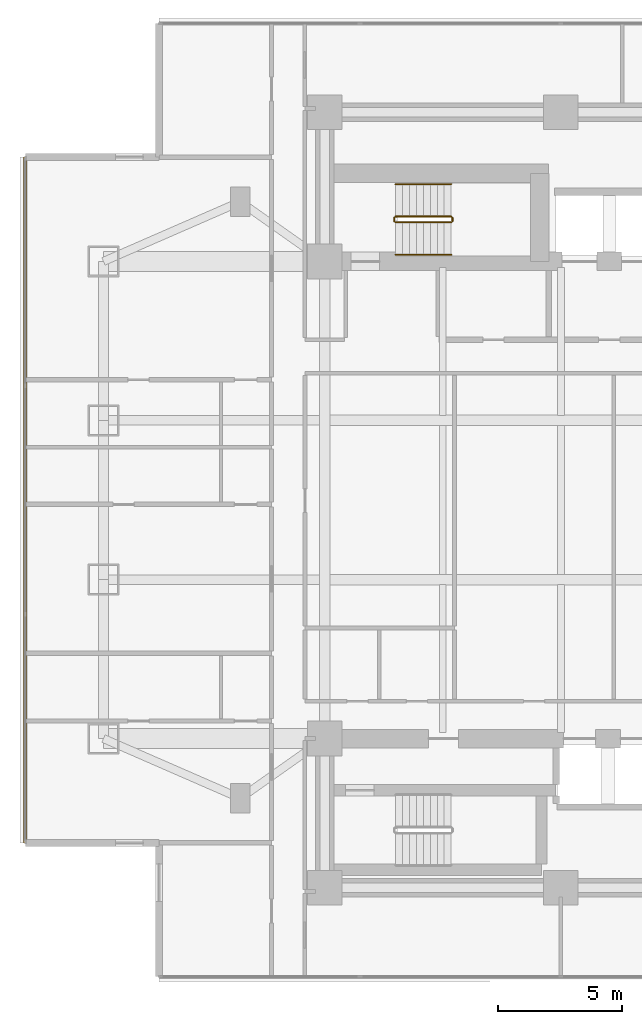
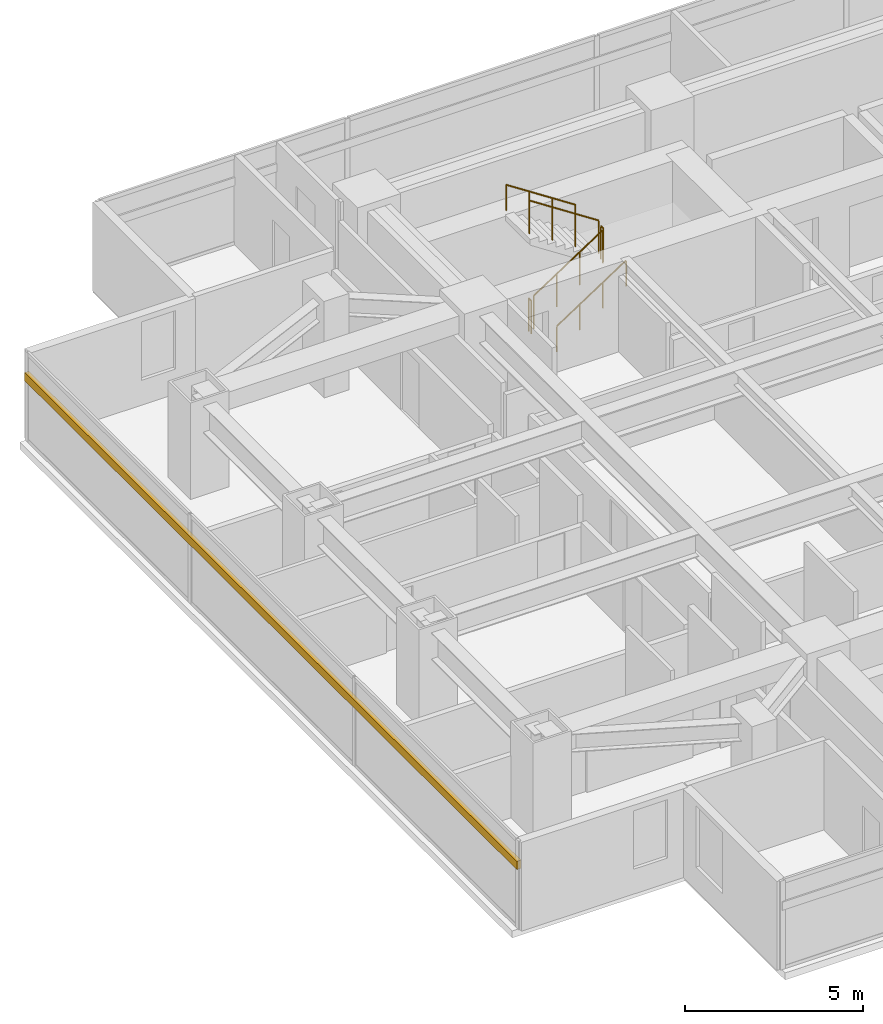
# One storey, part 20 of 23: 6 railings, 1 shading device.
"""IFC4 building model written with IfcOpenShell, lengths in metres."""

from ifc_helpers import new_model, si_unit, direction, frame, origin, origin_2d, place, context, subcontext, project, spatial, rectangle, circle, extrude, material, material_profile, profile_set, type_object, element, save


model = new_model("IFC4")

# Units and contexts
model_context = context("Model", 3, precision=1e-05, world=origin(), true_north=direction((0.0, 1.0)))
body_context = subcontext(model_context, "Body", "Model", "MODEL_VIEW")
ifc_project = project(units=[si_unit("LENGTHUNIT", "METRE"), si_unit("AREAUNIT", "SQUARE_METRE"), si_unit("VOLUMEUNIT", "CUBIC_METRE"), si_unit("PLANEANGLEUNIT", "RADIAN"), si_unit("MASSUNIT", "GRAM", prefix="KILO")], contexts=[model_context])

# Site, building, storey
site_placement = place(None, origin())
site = spatial("IfcSite", under=ifc_project, at=site_placement, CompositionType="ELEMENT")
building_placement = place(site_placement, origin())
building = spatial("IfcBuilding", under=site, at=building_placement, Name="Mirazonda Arch Towers", CompositionType="ELEMENT")
storey_placement = place(building_placement, frame((0.0, 0.0, 29.0)))
storey = spatial("IfcBuildingStorey", under=building, at=storey_placement, Name="L07", CompositionType="ELEMENT", Elevation=29.0)

# Shading device
ifc_material_1 = material(Name="Kiln-Fired Architectural Terracotta", Category="masonry")
ifc_material_profile = material_profile(ifc_material_1, rectangle(XDim=0.139892578125, YDim=0.280029296875, at=origin_2d()), Name="TERRA-BAG-140x280")
ifc_profile_set = profile_set([ifc_material_profile], Name="Kiln-Fired Architectural Terracotta")
shading_device_type = type_object("IfcShadingDeviceType", Name="BAGUETTE-3", PredefinedType="USERDEFINED", material=ifc_profile_set)
shading_device_placement = place(storey_placement, frame((-1.0400390625, 41.7958984375, 2.188720703125), z_axis=(0.0, -1.0, 0.0), x_axis=(1.0, 0.0, 0.0)))
element("IfcShadingDevice", 1, at=shading_device_placement, inside=storey, type_object=shading_device_type, Name="L07 Glazed Terracotta Sun-Screen Baguette CW-L07-T1-W", ObjectType="BAGUETTE", PredefinedType="USERDEFINED", context=body_context, shape_type="SweptSolid", body=[
    extrude(rectangle(XDim=0.139892578125, YDim=0.280029296875, at=origin_2d()), origin(), (0.0, 0.0, 1.0), 27.591796875),
])

# Railings
ifc_material_2 = material(Name="Architectural Brushed Steel S355", Category="steel")
railing_type_1 = type_object("IfcRailingType", Name="GUARD-STAIR-1120", PredefinedType="GUARDRAIL", material=ifc_material_2)
railing_1_placement = place(storey_placement, frame((13.85009765625, 39.169921875, 0.183349609375)))
element("IfcRailing", 2, at=railing_1_placement, inside=storey, type_object=railing_type_1, Name="L07 ST-T1N stair guard 1", PredefinedType="GUARDRAIL", context=body_context, shape_type="SweptSolid", body=[
    extrude(circle(Radius=0.02392578125, at=origin_2d()), frame((0.0, 0.0, 1.1259765625), z_axis=(0.836636935527, 0.0, 0.547757827979), x_axis=(0.0, 1.0, 0.0)), (0.0, 0.0, 1.0), 2.677490234375),
    extrude(circle(Radius=0.02099609375, at=origin_2d()), origin(), (0.0, 0.0, 1.0), 1.101806640625),
    extrude(circle(Radius=0.02099609375, at=origin_2d()), frame((0.74658203125, 0.0, 0.48876953125)), (0.0, 0.0, 1.0), 1.101806640625),
    extrude(circle(Radius=0.02099609375, at=origin_2d()), frame((1.493408203125, 0.0, 0.977783203125)), (0.0, 0.0, 1.0), 1.101806640625),
    extrude(circle(Radius=0.02099609375, at=origin_2d()), frame((2.239990234375, 0.0, 1.466552734375)), (0.0, 0.0, 1.0), 1.101806640625),
])
railing_2_placement = place(storey_placement, frame((16.139892578125, 39.219970703125, 1.64990234375)))
element("IfcRailing", 3, at=railing_2_placement, inside=storey, type_object=railing_type_1, Name="L07 ST-T1N stair guard 2", PredefinedType="GUARDRAIL", context=body_context, shape_type="SweptSolid", body=[
    extrude(circle(Radius=0.02392578125, at=origin_2d()), frame((0.0, 0.0, 1.1259765625), z_axis=(0.0, 1.0, 0.0), x_axis=(-1.0, 0.0, 0.0)), (0.0, 0.0, 1.0), 0.14013671875),
    extrude(circle(Radius=0.02099609375, at=origin_2d()), origin(), (0.0, 0.0, 1.0), 1.101806640625),
    extrude(circle(Radius=0.02099609375, at=origin_2d()), frame((0.0, 0.14013671875, 0.0)), (0.0, 0.0, 1.0), 1.101806640625),
])
railing_3_placement = place(storey_placement, frame((16.090087890625, 39.409912109375, 1.833251953125)))
element("IfcRailing", 4, at=railing_3_placement, inside=storey, type_object=railing_type_1, Name="L07 ST-T1N stair guard 3", PredefinedType="GUARDRAIL", context=body_context, shape_type="SweptSolid", body=[
    extrude(circle(Radius=0.02392578125, at=origin_2d()), frame((0.0, 0.0, 1.1259765625), z_axis=(-0.836595146698, 0.0, 0.547821650285), x_axis=(0.0, -1.0, 0.0)), (0.0, 0.0, 1.0), 2.677490234375),
    extrude(circle(Radius=0.02099609375, at=origin_2d()), origin(), (0.0, 0.0, 1.0), 1.101806640625),
    extrude(circle(Radius=0.02099609375, at=origin_2d()), frame((-0.74658203125, 0.0, 0.489013671875)), (0.0, 0.0, 1.0), 1.101806640625),
    extrude(circle(Radius=0.02099609375, at=origin_2d()), frame((-1.493408203125, 0.0, 0.977783203125)), (0.0, 0.0, 1.0), 1.101806640625),
    extrude(circle(Radius=0.02099609375, at=origin_2d()), frame((-2.239990234375, 0.0, 1.466796875)), (0.0, 0.0, 1.0), 1.101806640625),
])
railing_4_placement = place(storey_placement, frame((13.800048828125, 39.219970703125, 0.0)))
element("IfcRailing", 5, at=railing_4_placement, inside=storey, type_object=railing_type_1, Name="L07 ST-T1N stair guard 4", PredefinedType="GUARDRAIL", context=body_context, shape_type="SweptSolid", body=[
    extrude(circle(Radius=0.02392578125, at=origin_2d()), frame((0.0, 0.0, 1.1259765625), z_axis=(0.0, 1.0, 0.0), x_axis=(-1.0, 0.0, 0.0)), (0.0, 0.0, 1.0), 0.14013671875),
    extrude(circle(Radius=0.02099609375, at=origin_2d()), origin(), (0.0, 0.0, 1.0), 1.101806640625),
    extrude(circle(Radius=0.02099609375, at=origin_2d()), frame((0.0, 0.14013671875, 0.0)), (0.0, 0.0, 1.0), 1.101806640625),
])
railing_type_2 = type_object("IfcRailingType", Name="HANDRAIL-915", PredefinedType="HANDRAIL", material=ifc_material_2)
railing_5_placement = place(storey_placement, frame((13.85009765625, 37.8701171875, 0.183349609375)))
element("IfcRailing", 6, at=railing_5_placement, inside=storey, type_object=railing_type_2, Name="L07 ST-T1N stair handrail 1", PredefinedType="HANDRAIL", context=body_context, shape_type="SweptSolid", body=[
    extrude(circle(Radius=0.02392578125, at=origin_2d()), frame((0.0, 0.0, 0.8759765625), z_axis=(0.836636935527, 0.0, 0.547757827979), x_axis=(0.0, 1.0, 0.0)), (0.0, 0.0, 1.0), 2.677490234375),
    extrude(circle(Radius=0.02099609375, at=origin_2d()), origin(), (0.0, 0.0, 1.0), 0.851806640625),
    extrude(circle(Radius=0.02099609375, at=origin_2d()), frame((0.74658203125, 0.0, 0.48876953125)), (0.0, 0.0, 1.0), 0.851806640625),
    extrude(circle(Radius=0.02099609375, at=origin_2d()), frame((1.493408203125, 0.0, 0.977783203125)), (0.0, 0.0, 1.0), 0.851806640625),
    extrude(circle(Radius=0.02099609375, at=origin_2d()), frame((2.239990234375, 0.0, 1.466552734375)), (0.0, 0.0, 1.0), 0.851806640625),
])
railing_6_placement = place(storey_placement, frame((16.090087890625, 40.7099609375, 1.833251953125)))
element("IfcRailing", 7, at=railing_6_placement, inside=storey, type_object=railing_type_2, Name="L07 ST-T1N stair handrail 2", PredefinedType="HANDRAIL", context=body_context, shape_type="SweptSolid", body=[
    extrude(circle(Radius=0.02392578125, at=origin_2d()), frame((0.0, 0.0, 0.8759765625), z_axis=(-0.836595146698, 0.0, 0.547821650285), x_axis=(0.0, -1.0, 0.0)), (0.0, 0.0, 1.0), 2.677490234375),
    extrude(circle(Radius=0.02099609375, at=origin_2d()), origin(), (0.0, 0.0, 1.0), 0.851806640625),
    extrude(circle(Radius=0.02099609375, at=origin_2d()), frame((-0.74658203125, 0.0, 0.489013671875)), (0.0, 0.0, 1.0), 0.851806640625),
    extrude(circle(Radius=0.02099609375, at=origin_2d()), frame((-1.493408203125, 0.0, 0.977783203125)), (0.0, 0.0, 1.0), 0.851806640625),
    extrude(circle(Radius=0.02099609375, at=origin_2d()), frame((-2.239990234375, 0.0, 1.466796875)), (0.0, 0.0, 1.0), 0.851806640625),
])

save(model, "model.ifc")
